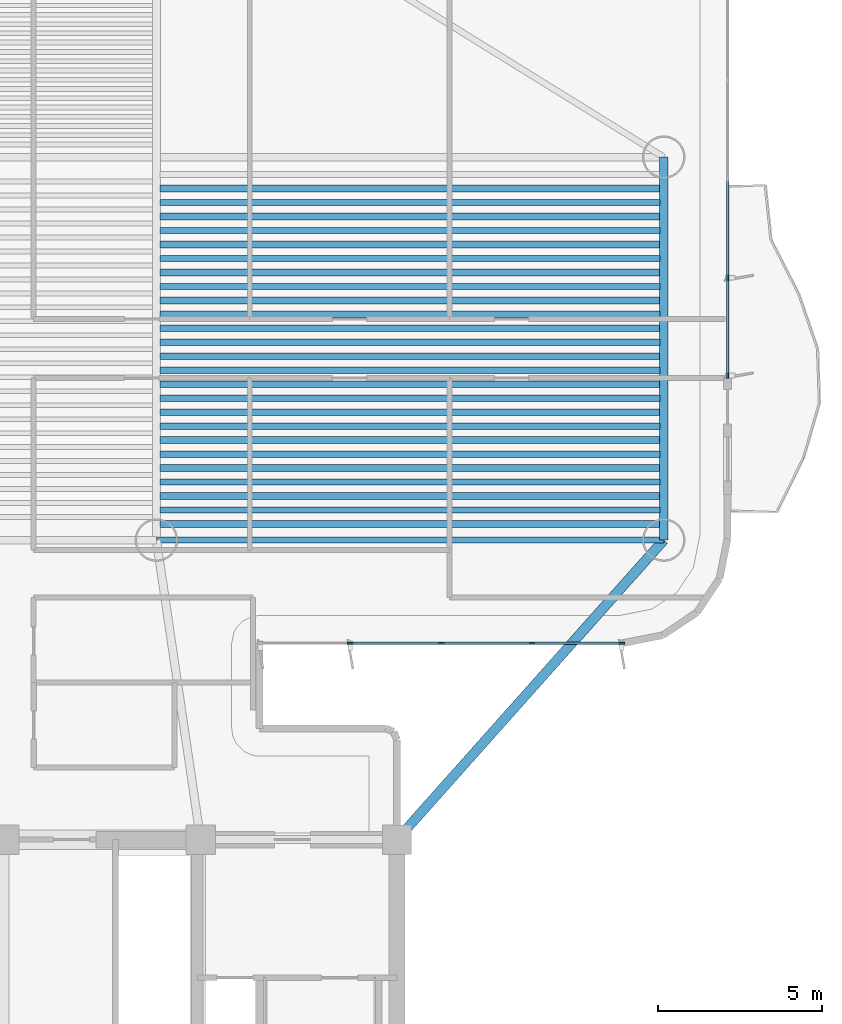
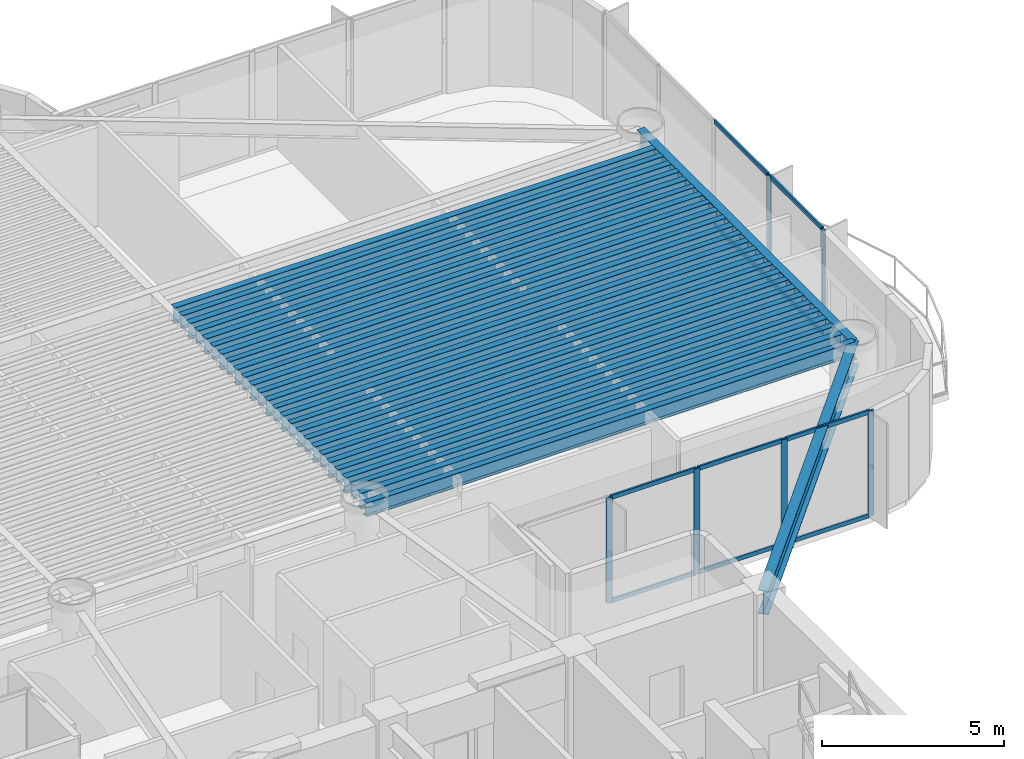
# One storey, part 4 of 16: 28 beams, 16 members, 2 elements without a shape of their own.
"""IFC4 building model written with IfcOpenShell, lengths in metres."""

import ifcopenshell
import ifcopenshell.guid

model = None  # the IFC model being written
_history = None  # IfcOwnerHistory: only IFC2X3 demands one
_inside = {}  # id of a spatial element -> (the spatial element, [elements in it])
_under = {}  # id of a project, library or spatial element -> (it, [spatial elements below it])
_declared = {}  # id of a project -> (the project, [libraries it declares])
_typed = {}  # id of a type object -> (the type object, [elements of that type])
_made_of = {}  # id of a material, layer set ... -> (it, [elements and type objects made of it])


def new_model(schema):
    """Start an empty IFC model of exactly this schema.

    Asked for "IFC4X3", IfcOpenShell would pick the latest addendum, in which some entities
    have other attributes; the version numbers below select the first issue.
    IFC2X3 requires an IfcOwnerHistory on every rooted entity: one is made here for all.
    """
    global model, _history
    if schema == "IFC4X3":
        model = ifcopenshell.file(schema_version=(4, 3, 0, 0))
    else:
        model = ifcopenshell.file(schema=schema)
    _inside.clear()
    _under.clear()
    _declared.clear()
    _typed.clear()
    _made_of.clear()
    _history = None
    if model.schema == "IFC2X3":
        org = make("IfcOrganization", Name="unknown")
        user = make(
            "IfcPersonAndOrganization",
            ThePerson=make("IfcPerson", FamilyName="unknown"),
            TheOrganization=org,
        )
        app = make(
            "IfcApplication",
            ApplicationDeveloper=org,
            Version="unknown",
            ApplicationFullName="unknown",
            ApplicationIdentifier="unknown",
        )
        _history = make(
            "IfcOwnerHistory",
            OwningUser=user,
            OwningApplication=app,
            ChangeAction="ADDED",
            CreationDate=0,
        )
    return model


def make(cls, **values):
    """One entity of the class cls with the attributes given. An attribute that is None is left unset."""
    return model.create_entity(
        cls, **{name: value for name, value in values.items() if value is not None}
    )


def rooted(cls, **values):
    """An entity with a GlobalId (a new one), such as an element, a storey or a relation."""
    return make(cls, GlobalId=ifcopenshell.guid.new(), OwnerHistory=_history, **values)


def si_unit(unit_type, name, prefix=None):
    """IfcSIUnit, for example si_unit("LENGTHUNIT", "METRE", prefix="MILLI")."""
    return make("IfcSIUnit", UnitType=unit_type, Prefix=prefix, Name=name)


def assignment(units):
    """IfcUnitAssignment: the units of a project."""
    return None if units is None else make("IfcUnitAssignment", Units=units)


def point(xyz):
    """IfcCartesianPoint."""
    return None if xyz is None else make("IfcCartesianPoint", Coordinates=xyz)


def direction(xyz):
    """IfcDirection."""
    return None if xyz is None else make("IfcDirection", DirectionRatios=xyz)


def frame(location, z_axis=None, x_axis=None):
    """IfcAxis2Placement3D, a coordinate frame: its origin and axes. An axis left out is left unset."""
    return make(
        "IfcAxis2Placement3D",
        Location=point(location),
        Axis=direction(z_axis),
        RefDirection=direction(x_axis),
    )


def frame_2d(location, x_axis=None):
    """IfcAxis2Placement2D, a coordinate frame in the plane: its origin and x axis."""
    return make(
        "IfcAxis2Placement2D", Location=point(location), RefDirection=direction(x_axis)
    )


def origin():
    """The frame at (0, 0, 0) with its axes left unset."""
    return frame((0.0, 0.0, 0.0))


def origin_2d():
    """The frame at (0, 0) in the plane with its x axis left unset."""
    return frame_2d((0.0, 0.0))


def place(relative_to, where):
    """IfcLocalPlacement: puts the frame where relative to a parent placement (None: the world)."""
    return make(
        "IfcLocalPlacement", PlacementRelTo=relative_to, RelativePlacement=where
    )


def context(
    kind, dimensions, precision=None, world=None, true_north=None, identifier=None
):
    """IfcGeometricRepresentationContext, for example the 3D "Model" context."""
    return make(
        "IfcGeometricRepresentationContext",
        ContextIdentifier=identifier,
        ContextType=kind,
        CoordinateSpaceDimension=dimensions,
        Precision=precision,
        WorldCoordinateSystem=world,
        TrueNorth=true_north,
    )


def subcontext(parent, identifier, kind, view, scale=None):
    """IfcGeometricRepresentationSubContext, for example "Body" below "Model"."""
    return make(
        "IfcGeometricRepresentationSubContext",
        ContextIdentifier=identifier,
        ContextType=kind,
        ParentContext=parent,
        TargetScale=scale,
        TargetView=view,
    )


def project(units=None, contexts=None):
    """IfcProject with its units and contexts."""
    return rooted(
        "IfcProject",
        Name="project",
        RepresentationContexts=contexts,
        UnitsInContext=assignment(units),
    )


def spatial(cls, under=None, at=None, **own):
    """A site, building, storey or space (cls), placed at a placement, below another one or the project."""
    s = rooted(cls, ObjectPlacement=at, **own)
    if under is not None:
        _under.setdefault(under.id(), (under, []))[1].append(s)
    return s


def profile(cls, at=None, kind="AREA", **sizes):
    """A parametric profile (cls). Its sizes go by their IFC names, for example OverallWidth=200.0."""
    return make(cls, ProfileType=kind, Position=at, **sizes)


def rectangle(**sizes):
    """IfcRectangleProfileDef."""
    return profile("IfcRectangleProfileDef", **sizes)


def i_section(**sizes):
    """IfcIShapeProfileDef."""
    return profile("IfcIShapeProfileDef", **sizes)


def extrude(swept, where, along, depth):
    """IfcExtrudedAreaSolid: the profile swept, set in the frame where, extruded along a direction by depth."""
    return make(
        "IfcExtrudedAreaSolid",
        SweptArea=swept,
        Position=where,
        ExtrudedDirection=direction(along),
        Depth=depth,
    )


def shape(context_of_items, identifier, shape_type, items):
    """IfcShapeRepresentation: the items that make up one representation, for example the "Body"."""
    return make(
        "IfcShapeRepresentation",
        ContextOfItems=context_of_items,
        RepresentationIdentifier=identifier,
        RepresentationType=shape_type,
        Items=items,
    )


def source(mapping_origin, context_of_items, identifier, shape_type, items):
    """IfcRepresentationMap: a shape defined once, which mapped items show again and again."""
    return make(
        "IfcRepresentationMap",
        MappingOrigin=mapping_origin,
        MappedRepresentation=shape(context_of_items, identifier, shape_type, items),
    )


def transform(
    local_origin,
    x_axis=None,
    y_axis=None,
    z_axis=None,
    scale=None,
    scale2=None,
    scale3=None,
    uniform=True,
):
    """IfcCartesianTransformationOperator3D, or its non-uniform kind. x_axis, y_axis, z_axis: its Axis1, 2, 3."""
    if uniform:
        return make(
            "IfcCartesianTransformationOperator3D",
            Axis1=direction(x_axis),
            Axis2=direction(y_axis),
            LocalOrigin=point(local_origin),
            Scale=scale,
            Axis3=direction(z_axis),
        )
    return make(
        "IfcCartesianTransformationOperator3DnonUniform",
        Axis1=direction(x_axis),
        Axis2=direction(y_axis),
        LocalOrigin=point(local_origin),
        Scale=scale,
        Axis3=direction(z_axis),
        Scale2=scale2,
        Scale3=scale3,
    )


def mapped(mapping_source, mapping_target):
    """IfcMappedItem: shows the shape of a source again, moved by a transform."""
    return make(
        "IfcMappedItem", MappingSource=mapping_source, MappingTarget=mapping_target
    )


def material(Name=None, Category=None):
    """IfcMaterial."""
    return make("IfcMaterial", Name=Name, Category=Category)


def layer(
    of_material, thickness, ventilated=None, Name=None, Category=None, Priority=None
):
    """IfcMaterialLayer: one layer of a wall or slab, of a material (None: an air gap)."""
    return make(
        "IfcMaterialLayer",
        Material=of_material,
        LayerThickness=thickness,
        IsVentilated=ventilated,
        Name=Name,
        Category=Category,
        Priority=Priority,
    )


def layer_set(layers, Name=None):
    """IfcMaterialLayerSet."""
    return make("IfcMaterialLayerSet", MaterialLayers=layers, LayerSetName=Name)


def material_profile(
    of_material, cross_section, Name=None, Category=None, Priority=None
):
    """IfcMaterialProfile: a cross section and its material."""
    return make(
        "IfcMaterialProfile",
        Name=Name,
        Material=of_material,
        Profile=cross_section,
        Priority=Priority,
        Category=Category,
    )


def profile_set(profiles, Name=None, composite=None):
    """IfcMaterialProfileSet."""
    return make(
        "IfcMaterialProfileSet",
        Name=Name,
        MaterialProfiles=profiles,
        CompositeProfile=composite,
    )


def made_of(thing, what):
    """Note that an element or type object is made of a material, layer set ...; save() writes the relation."""
    if what is not None:
        _made_of.setdefault(what.id(), (what, []))[1].append(thing)
    return thing


def type_object(cls, material=None, **own):
    """A type object (cls), such as IfcWallType, which elements share."""
    return made_of(rooted(cls, **own), material)


def element(
    cls,
    number,
    at=None,
    inside=None,
    cuts=None,
    type_object=None,
    material=None,
    context=None,
    identifier="Body",
    shape_type=None,
    held_by="IfcProductDefinitionShape",
    body=None,
    shapes=None,
    **own,
):
    """One element of the class cls, such as IfcWall. Its Tag is "e" and its number.

    at: its placement. inside: the storey or other place that contains it. cuts: it is an
    opening in that element (IfcRelVoidsElement). A single representation is given by context,
    identifier, shape_type and body (its items); several are given by shapes. held_by: the class
    of the entity that holds the representations. save() writes the other relations.
    """
    e = rooted(cls, Tag="e%d" % number, ObjectPlacement=at, **own)
    if body is not None:
        shapes = [shape(context, identifier, shape_type, body)]
    if shapes is not None:
        e.Representation = make(held_by, Representations=shapes)
    if inside is not None:
        _inside.setdefault(inside.id(), (inside, []))[1].append(e)
    if cuts is not None:
        rooted(
            "IfcRelVoidsElement", RelatingBuildingElement=cuts, RelatedOpeningElement=e
        )
    if type_object is not None:
        _typed.setdefault(type_object.id(), (type_object, []))[1].append(e)
    return made_of(e, material)


def aggregate(whole, parts):
    """IfcRelAggregates: a whole, such as a stair, and the parts it consists of."""
    return rooted("IfcRelAggregates", RelatingObject=whole, RelatedObjects=parts)


def save(model, path):
    """Write the relations noted so far, then the file.

    IfcRelAggregates (storeys below a building ...), IfcRelContainedInSpatialStructure (elements
    in a storey), IfcRelDefinesByType, IfcRelAssociatesMaterial and IfcRelDeclares: one each for
    every whole, place, type object, material and project.
    """
    for whole, parts in _under.values():
        aggregate(whole, parts)
    for where, things in _inside.values():
        rooted(
            "IfcRelContainedInSpatialStructure",
            RelatedElements=things,
            RelatingStructure=where,
        )
    for kind, things in _typed.values():
        rooted("IfcRelDefinesByType", RelatedObjects=things, RelatingType=kind)
    for what, things in _made_of.values():
        rooted("IfcRelAssociatesMaterial", RelatedObjects=things, RelatingMaterial=what)
    for by, libraries in _declared.values():
        rooted("IfcRelDeclares", RelatingContext=by, RelatedDefinitions=libraries)
    model.write(path)


model = new_model("IFC4")

# Units and contexts
model_context = context("Model", 3, precision=1e-05, world=origin(), true_north=direction((0.0, 1.0)))
body_context = subcontext(model_context, "Body", "Model", "MODEL_VIEW")
ifc_project = project(units=[si_unit("LENGTHUNIT", "METRE"), si_unit("AREAUNIT", "SQUARE_METRE"), si_unit("VOLUMEUNIT", "CUBIC_METRE"), si_unit("PLANEANGLEUNIT", "RADIAN"), si_unit("MASSUNIT", "GRAM", prefix="KILO")], contexts=[model_context])

# Site, building, storey
site_placement = place(None, origin())
site = spatial("IfcSite", under=ifc_project, at=site_placement, CompositionType="ELEMENT")
building_placement = place(site_placement, origin())
building = spatial("IfcBuilding", under=site, at=building_placement, Name="Brelvock Crest Care Tower", CompositionType="ELEMENT")
storey_placement = place(building_placement, frame((0.0, 0.0, 112.5)))
storey = spatial("IfcBuildingStorey", under=building, at=storey_placement, Name="L28", CompositionType="ELEMENT", Elevation=112.5)

# Beams
ifc_material_1 = material(Name="Steel Grade 350", Category="steel")
ifc_material_profile_1 = material_profile(ifc_material_1, i_section(OverallWidth=0.208984375, OverallDepth=0.532958984375, WebThickness=0.01025390625, FlangeThickness=0.015625, FilletRadius=0.013916015625, at=origin_2d()), Name="530UB92.4")
ifc_profile_set_1 = profile_set([ifc_material_profile_1], Name="Steel Grade 350")
beam_type_1 = type_object("IfcBeamType", Name="BM-G2", PredefinedType="BEAM", material=ifc_profile_set_1)
shared_shape_1 = source(origin(), body_context, "Body", "SweptSolid", [
    extrude(i_section(OverallWidth=0.208984375, OverallDepth=0.532958984375, WebThickness=0.01025390625, FlangeThickness=0.015625, FilletRadius=0.013916015625, at=origin_2d()), origin(), (0.0, 0.0, 1.0), 15.27001953125),
])
for number, where, z_axis, x_axis, name in (
    (1, (40.764892578125, 27.641357421875, 3.263427734375), (1.0, 0.0, 0.0), (0.0, 1.0, 0.0), "BM-JE-L28-1"),
    (2, (40.764892578125, 28.49560546875, 3.263427734375), (1.0, 0.0, 0.0), (0.0, 1.0, 0.0), "BM-JE-L28-3"),
    (3, (40.764892578125, 29.349609375, 3.263427734375), (1.0, 0.0, 0.0), (0.0, 1.0, 0.0), "BM-JE-L28-5"),
    (4, (40.764892578125, 30.20361328125, 3.263427734375), (1.0, 0.0, 0.0), (0.0, 1.0, 0.0), "BM-JE-L28-7"),
    (5, (40.764892578125, 31.057861328125, 3.263427734375), (1.0, 0.0, 0.0), (0.0, 1.0, 0.0), "BM-JE-L28-9"),
    (6, (40.764892578125, 31.911865234375, 3.263427734375), (1.0, 0.0, 0.0), (0.0, 1.0, 0.0), "BM-JE-L28-11"),
    (7, (40.764892578125, 32.76611328125, 3.263427734375), (1.0, 0.0, 0.0), (0.0, 1.0, 0.0), "BM-JE-L28-13"),
    (8, (40.764892578125, 33.6201171875, 3.263427734375), (1.0, 0.0, 0.0), (0.0, 1.0, 0.0), "BM-JE-L28-15"),
    (9, (40.764892578125, 34.47412109375, 3.263427734375), (1.0, 0.0, 0.0), (0.0, 1.0, 0.0), "BM-JE-L28-17"),
    (10, (40.764892578125, 35.328369140625, 3.263427734375), (1.0, 0.0, 0.0), (0.0, 1.0, 0.0), "BM-JE-L28-19"),
    (11, (40.764892578125, 36.182373046875, 3.263427734375), (1.0, 0.0, 0.0), (0.0, 1.0, 0.0), "BM-JE-L28-21"),
    (12, (40.764892578125, 37.03662109375, 3.263427734375), (1.0, 0.0, 0.0), (0.0, 1.0, 0.0), "BM-JE-L28-23"),
    (13, (40.764892578125, 37.890625, 3.263427734375), (1.0, 0.0, 0.0), (0.0, 1.0, 0.0), "BM-JE-L28-25"),
):
    element("IfcBeam", number, at=place(storey_placement, frame(where, z_axis=z_axis, x_axis=x_axis)), inside=storey, type_object=beam_type_1, Name=name, PredefinedType="BEAM", context=body_context, shape_type="MappedRepresentation", body=[
        mapped(shared_shape_1, transform((0.0, 0.0, 0.0), x_axis=(1.0, 0.0, 0.0), y_axis=(0.0, 1.0, 0.0), z_axis=(0.0, 0.0, 1.0), scale=1.0)),
    ])
ifc_material_profile_2 = material_profile(ifc_material_1, i_section(OverallWidth=0.19091796875, OverallDepth=0.4599609375, WebThickness=0.010009765625, FlangeThickness=0.01611328125, FilletRadius=0.011474609375, at=origin_2d()), Name="460UB82.1")
ifc_profile_set_2 = profile_set([ifc_material_profile_2], Name="Steel Grade 350")
beam_type_2 = type_object("IfcBeamType", Name="BM-G3", PredefinedType="BEAM", material=ifc_profile_set_2)
shared_shape_2 = source(origin(), body_context, "Body", "SweptSolid", [
    extrude(i_section(OverallWidth=0.19091796875, OverallDepth=0.4599609375, WebThickness=0.010009765625, FlangeThickness=0.01611328125, FilletRadius=0.011474609375, at=origin_2d()), origin(), (0.0, 0.0, 1.0), 15.27001953125),
])
for number, where, z_axis, x_axis, name in (
    (14, (40.764892578125, 28.068359375, 3.300048828125), (1.0, 0.0, 0.0), (0.0, 1.0, 0.0), "BM-JE-L28-2"),
    (15, (40.764892578125, 28.922607421875, 3.300048828125), (1.0, 0.0, 0.0), (0.0, 1.0, 0.0), "BM-JE-L28-4"),
    (16, (40.764892578125, 29.776611328125, 3.300048828125), (1.0, 0.0, 0.0), (0.0, 1.0, 0.0), "BM-JE-L28-6"),
    (17, (40.764892578125, 30.630615234375, 3.300048828125), (1.0, 0.0, 0.0), (0.0, 1.0, 0.0), "BM-JE-L28-8"),
    (18, (40.764892578125, 31.48486328125, 3.300048828125), (1.0, 0.0, 0.0), (0.0, 1.0, 0.0), "BM-JE-L28-10"),
    (19, (40.764892578125, 32.3388671875, 3.300048828125), (1.0, 0.0, 0.0), (0.0, 1.0, 0.0), "BM-JE-L28-12"),
    (20, (40.764892578125, 33.193115234375, 3.300048828125), (1.0, 0.0, 0.0), (0.0, 1.0, 0.0), "BM-JE-L28-14"),
    (21, (40.764892578125, 34.047119140625, 3.300048828125), (1.0, 0.0, 0.0), (0.0, 1.0, 0.0), "BM-JE-L28-16"),
    (22, (40.764892578125, 34.901123046875, 3.300048828125), (1.0, 0.0, 0.0), (0.0, 1.0, 0.0), "BM-JE-L28-18"),
    (23, (40.764892578125, 35.75537109375, 3.300048828125), (1.0, 0.0, 0.0), (0.0, 1.0, 0.0), "BM-JE-L28-20"),
    (24, (40.764892578125, 36.609619140625, 3.300048828125), (1.0, 0.0, 0.0), (0.0, 1.0, 0.0), "BM-JE-L28-22"),
    (25, (40.764892578125, 37.46337890625, 3.300048828125), (1.0, 0.0, 0.0), (0.0, 1.0, 0.0), "BM-JE-L28-24"),
):
    element("IfcBeam", number, at=place(storey_placement, frame(where, z_axis=z_axis, x_axis=x_axis)), inside=storey, type_object=beam_type_2, Name=name, PredefinedType="BEAM", context=body_context, shape_type="MappedRepresentation", body=[
        mapped(shared_shape_2, transform((0.0, 0.0, 0.0), x_axis=(1.0, 0.0, 0.0), y_axis=(0.0, 1.0, 0.0), z_axis=(0.0, 0.0, 1.0), scale=1.0)),
    ])
ifc_material_profile_3 = material_profile(ifc_material_1, i_section(OverallWidth=0.25, OverallDepth=0.699951171875, WebThickness=0.011962890625, FlangeThickness=0.02001953125, at=origin_2d()), Name="700WB150")
ifc_profile_set_3 = profile_set([ifc_material_profile_3], Name="Steel Grade 350")
beam_type_3 = type_object("IfcBeamType", Name="BM-G4", PredefinedType="BEAM", material=ifc_profile_set_3)
shared_shape_3 = source(origin(), body_context, "Body", "SweptSolid", [
    extrude(i_section(OverallWidth=0.25, OverallDepth=0.699951171875, WebThickness=0.011962890625, FlangeThickness=0.02001953125, at=origin_2d()), origin(), (0.0, 0.0, 1.0), 11.7001953125),
])
beam_1_placement = place(storey_placement, frame((56.14990234375, 27.14990234375, 3.179931640625), z_axis=(0.0, 1.0, 0.0), x_axis=(-1.0, 0.0, 0.0)))
element("IfcBeam", 26, at=beam_1_placement, inside=storey, type_object=beam_type_3, Name="BM-TWR-L28-02", PredefinedType="BEAM", context=body_context, shape_type="MappedRepresentation", body=[
    mapped(shared_shape_3, transform((0.0, 0.0, 0.0), x_axis=(1.0, 0.0, 0.0), y_axis=(0.0, 1.0, 0.0), z_axis=(0.0, 0.0, 1.0), scale=1.0)),
])
ifc_material_profile_4 = material_profile(ifc_material_1, i_section(OverallWidth=0.19091796875, OverallDepth=0.4599609375, WebThickness=0.010009765625, FlangeThickness=0.01611328125, FilletRadius=0.011474609375, at=origin_2d()), Name="460UB82.1")
ifc_profile_set_4 = profile_set([ifc_material_profile_4], Name="Steel Grade 350")
beam_type_4 = type_object("IfcBeamType", Name="BM-SP2", PredefinedType="SPANDREL", material=ifc_profile_set_4)
shared_shape_4 = source(origin(), body_context, "Body", "SweptSolid", [
    extrude(i_section(OverallWidth=0.19091796875, OverallDepth=0.4599609375, WebThickness=0.010009765625, FlangeThickness=0.01611328125, FilletRadius=0.011474609375, at=origin_2d()), origin(), (0.0, 0.0, 1.0), 15.5),
])
beam_2_placement = place(storey_placement, frame((40.64990234375, 27.14990234375, 3.300048828125), z_axis=(1.0, 0.0, 0.0), x_axis=(0.0, 1.0, 0.0)))
element("IfcBeam", 27, at=beam_2_placement, inside=storey, type_object=beam_type_4, Name="BM-TWR-L28-04", PredefinedType="SPANDREL", context=body_context, shape_type="MappedRepresentation", body=[
    mapped(shared_shape_4, transform((0.0, 0.0, 0.0), x_axis=(1.0, 0.0, 0.0), y_axis=(0.0, 1.0, 0.0), z_axis=(0.0, 0.0, 1.0), scale=1.0)),
])
ifc_material_profile_5 = material_profile(ifc_material_1, i_section(OverallWidth=0.300048828125, OverallDepth=0.800048828125, WebThickness=0.013916015625, FlangeThickness=0.02197265625, at=origin_2d()), Name="800WB192")
ifc_profile_set_5 = profile_set([ifc_material_profile_5], Name="Steel Grade 350")
beam_type_5 = type_object("IfcBeamType", Name="BM-G5", PredefinedType="BEAM", material=ifc_profile_set_5)
shared_shape_5 = source(origin(), body_context, "Body", "SweptSolid", [
    extrude(i_section(OverallWidth=0.300048828125, OverallDepth=0.800048828125, WebThickness=0.013916015625, FlangeThickness=0.02197265625, at=origin_2d()), origin(), (0.0, 0.0, 1.0), 12.253173828125),
])
beam_3_placement = place(storey_placement, frame((48.0, 18.0, 3.1298828125), z_axis=(0.665122829149, 0.746733970129, 0.0), x_axis=(-0.746733970129, 0.665122829149, 0.0)))
element("IfcBeam", 28, at=beam_3_placement, inside=storey, type_object=beam_type_5, Name="BM-THRO-E-L28", PredefinedType="BEAM", context=body_context, shape_type="MappedRepresentation", body=[
    mapped(shared_shape_5, transform((0.0, 0.0, 0.0), x_axis=(1.0, 0.0, 0.0), y_axis=(0.0, 1.0, 0.0), z_axis=(0.0, 0.0, 1.0), scale=1.0)),
])

# Curtain wall, members
ifc_material_2 = material(Name="Dark Glass Double Glazed Low-E", Category="glass")
ifc_layer = layer(ifc_material_2, 0.2099609375, Name="CWS-3")
ifc_layer_set = layer_set([ifc_layer], Name="Dark Glass Double Glazed Low-E")
curtain_wall_type = type_object("IfcCurtainWallType", Name="CWS-3", PredefinedType="NOTDEFINED", material=ifc_layer_set)
curtain_wall_1_placement = place(storey_placement, origin())
curtain_wall_1 = element("IfcCurtainWall", 29, at=curtain_wall_1_placement, inside=storey, type_object=curtain_wall_type, Name="L28 Curtain Wall E39A", PredefinedType="NOTDEFINED")
ifc_material_3 = material(Name="Aluminium 6063-T6", Category="aluminium")
ifc_material_profile_6 = material_profile(ifc_material_3, rectangle(XDim=0.06005859375, YDim=0.179931640625, at=origin_2d()), Name="ALU60x180")
ifc_profile_set_6 = profile_set([ifc_material_profile_6], Name="Aluminium 6063-T6")
member_type_1 = type_object("IfcMemberType", Name="CWM-2", PredefinedType="MULLION", material=ifc_profile_set_6)
shared_shape_6 = source(origin(), body_context, "Body", "SweptSolid", [
    extrude(rectangle(XDim=0.06005859375, YDim=0.179931640625, at=origin_2d()), origin(), (0.0, 0.0, 1.0), 3.530029296875),
])
member_1_placement = place(storey_placement, frame((58.10009765625, 35.16259765625, 0.0), z_axis=(0.0, 0.0, 1.0), x_axis=(1.0, 0.0, 0.0)))
member_1 = element("IfcMember", 30, at=member_1_placement, type_object=member_type_1, Name="CW-3 mullion 4", PredefinedType="MULLION", context=body_context, shape_type="MappedRepresentation", body=[
    mapped(shared_shape_6, transform((0.0, 0.0, 0.0), x_axis=(1.0, 0.0, 0.0), y_axis=(0.0, 1.0, 0.0), z_axis=(0.0, 0.0, 1.0), scale=1.0)),
])
member_2_placement = place(storey_placement, frame((58.10009765625, 32.179931640625, 0.0), z_axis=(0.0, 0.0, 1.0), x_axis=(1.0, 0.0, 0.0)))
member_2 = element("IfcMember", 31, at=member_2_placement, type_object=member_type_1, Name="CW-3 mullion 5", PredefinedType="MULLION", context=body_context, shape_type="MappedRepresentation", body=[
    mapped(shared_shape_6, transform((0.0, 0.0, 0.0), x_axis=(1.0, 0.0, 0.0), y_axis=(0.0, 1.0, 0.0), z_axis=(0.0, 0.0, 1.0), scale=1.0)),
])

curtain_wall_2_placement = place(storey_placement, origin())
curtain_wall_2 = element("IfcCurtainWall", 32, at=curtain_wall_2_placement, inside=storey, type_object=curtain_wall_type, Name="L28 Curtain Wall E44", PredefinedType="NOTDEFINED")
member_3_placement = place(storey_placement, frame((54.8701171875, 24.0, 0.0), z_axis=(0.0, 0.0, 1.0), x_axis=(0.0, -1.0, 0.0)))
member_3 = element("IfcMember", 33, at=member_3_placement, type_object=member_type_1, Name="CW-3 mullion 1", PredefinedType="MULLION", context=body_context, shape_type="MappedRepresentation", body=[
    mapped(shared_shape_6, transform((0.0, 0.0, 0.0), x_axis=(1.0, 0.0, 0.0), y_axis=(0.0, 1.0, 0.0), z_axis=(0.0, 0.0, 1.0), scale=1.0)),
])
member_4_placement = place(storey_placement, frame((52.125, 24.0, 0.0), z_axis=(0.0, 0.0, 1.0), x_axis=(0.0, -1.0, 0.0)))
member_4 = element("IfcMember", 34, at=member_4_placement, type_object=member_type_1, Name="CW-3 mullion 2", PredefinedType="MULLION", context=body_context, shape_type="MappedRepresentation", body=[
    mapped(shared_shape_6, transform((0.0, 0.0, 0.0), x_axis=(1.0, 0.0, 0.0), y_axis=(0.0, 1.0, 0.0), z_axis=(0.0, 0.0, 1.0), scale=1.0)),
])
member_5_placement = place(storey_placement, frame((49.35009765625, 24.0, 0.0), z_axis=(0.0, 0.0, 1.0), x_axis=(0.0, -1.0, 0.0)))
member_5 = element("IfcMember", 35, at=member_5_placement, type_object=member_type_1, Name="CW-3 mullion 3", PredefinedType="MULLION", context=body_context, shape_type="MappedRepresentation", body=[
    mapped(shared_shape_6, transform((0.0, 0.0, 0.0), x_axis=(1.0, 0.0, 0.0), y_axis=(0.0, 1.0, 0.0), z_axis=(0.0, 0.0, 1.0), scale=1.0)),
])
member_6_placement = place(storey_placement, frame((46.574951171875, 24.0, 0.0), z_axis=(0.0, 0.0, 1.0), x_axis=(0.0, -1.0, 0.0)))
member_6 = element("IfcMember", 36, at=member_6_placement, type_object=member_type_1, Name="CW-3 mullion 4", PredefinedType="MULLION", context=body_context, shape_type="MappedRepresentation", body=[
    mapped(shared_shape_6, transform((0.0, 0.0, 0.0), x_axis=(1.0, 0.0, 0.0), y_axis=(0.0, 1.0, 0.0), z_axis=(0.0, 0.0, 1.0), scale=1.0)),
])
ifc_material_profile_7 = material_profile(ifc_material_3, rectangle(XDim=0.06005859375, YDim=0.139892578125, at=origin_2d()), Name="ALU60x140")
ifc_profile_set_7 = profile_set([ifc_material_profile_7], Name="Aluminium 6063-T6")
member_type_2 = type_object("IfcMemberType", Name="CWT-2", PredefinedType="USERDEFINED", material=ifc_profile_set_7)
shared_shape_7 = source(origin(), body_context, "Body", "SweptSolid", [
    extrude(rectangle(XDim=0.06005859375, YDim=0.139892578125, at=origin_2d()), origin(), (0.0, 0.0, 1.0), 2.715087890625),
])
member_7_placement = place(storey_placement, frame((52.094970703125, 24.0, 0.030029296875), z_axis=(-1.0, 0.0, 0.0), x_axis=(0.0, -1.0, 0.0)))
member_7 = element("IfcMember", 37, at=member_7_placement, type_object=member_type_2, Name="CW-3 transom 2.1", ObjectType="TRANSOM", PredefinedType="USERDEFINED", context=body_context, shape_type="MappedRepresentation", body=[
    mapped(shared_shape_7, transform((0.0, 0.0, 0.0), x_axis=(1.0, 0.0, 0.0), y_axis=(0.0, 1.0, 0.0), z_axis=(0.0, 0.0, 1.0), scale=1.0)),
])
member_8_placement = place(storey_placement, frame((52.094970703125, 24.0, 3.5), z_axis=(-1.0, 0.0, 0.0), x_axis=(0.0, -1.0, 0.0)))
member_8 = element("IfcMember", 38, at=member_8_placement, type_object=member_type_2, Name="CW-3 transom 2.2", ObjectType="TRANSOM", PredefinedType="USERDEFINED", context=body_context, shape_type="MappedRepresentation", body=[
    mapped(shared_shape_7, transform((0.0, 0.0, 0.0), x_axis=(1.0, 0.0, 0.0), y_axis=(0.0, 1.0, 0.0), z_axis=(0.0, 0.0, 1.0), scale=1.0)),
])
member_9_placement = place(storey_placement, frame((49.320068359375, 24.0, 0.030029296875), z_axis=(-1.0, 0.0, 0.0), x_axis=(0.0, -1.0, 0.0)))
member_9 = element("IfcMember", 39, at=member_9_placement, type_object=member_type_2, Name="CW-3 transom 3.1", ObjectType="TRANSOM", PredefinedType="USERDEFINED", context=body_context, shape_type="MappedRepresentation", body=[
    mapped(shared_shape_7, transform((0.0, 0.0, 0.0), x_axis=(1.0, 0.0, 0.0), y_axis=(0.0, 1.0, 0.0), z_axis=(0.0, 0.0, 1.0), scale=1.0)),
])
member_10_placement = place(storey_placement, frame((49.320068359375, 24.0, 3.5), z_axis=(-1.0, 0.0, 0.0), x_axis=(0.0, -1.0, 0.0)))
member_10 = element("IfcMember", 40, at=member_10_placement, type_object=member_type_2, Name="CW-3 transom 3.2", ObjectType="TRANSOM", PredefinedType="USERDEFINED", context=body_context, shape_type="MappedRepresentation", body=[
    mapped(shared_shape_7, transform((0.0, 0.0, 0.0), x_axis=(1.0, 0.0, 0.0), y_axis=(0.0, 1.0, 0.0), z_axis=(0.0, 0.0, 1.0), scale=1.0)),
])
shared_shape_8 = source(origin(), body_context, "Body", "SweptSolid", [
    extrude(rectangle(XDim=0.06005859375, YDim=0.139892578125, at=origin_2d()), origin(), (0.0, 0.0, 1.0), 2.68505859375),
])
member_11_placement = place(storey_placement, frame((54.840087890625, 24.0, 0.030029296875), z_axis=(-1.0, 0.0, 0.0), x_axis=(0.0, -1.0, 0.0)))
member_11 = element("IfcMember", 41, at=member_11_placement, type_object=member_type_2, Name="CW-3 transom 1.1", ObjectType="TRANSOM", PredefinedType="USERDEFINED", context=body_context, shape_type="MappedRepresentation", body=[
    mapped(shared_shape_8, transform((0.0, 0.0, 0.0), x_axis=(1.0, 0.0, 0.0), y_axis=(0.0, 1.0, 0.0), z_axis=(0.0, 0.0, 1.0), scale=1.0)),
])
member_12_placement = place(storey_placement, frame((54.840087890625, 24.0, 3.5), z_axis=(-1.0, 0.0, 0.0), x_axis=(0.0, -1.0, 0.0)))
member_12 = element("IfcMember", 42, at=member_12_placement, type_object=member_type_2, Name="CW-3 transom 1.2", ObjectType="TRANSOM", PredefinedType="USERDEFINED", context=body_context, shape_type="MappedRepresentation", body=[
    mapped(shared_shape_8, transform((0.0, 0.0, 0.0), x_axis=(1.0, 0.0, 0.0), y_axis=(0.0, 1.0, 0.0), z_axis=(0.0, 0.0, 1.0), scale=1.0)),
])
aggregate(curtain_wall_2, [member_3, member_4, member_5, member_6, member_11, member_12, member_7, member_8, member_9, member_10])

# Member
shared_shape_9 = source(origin(), body_context, "Body", "SweptSolid", [
    extrude(rectangle(XDim=0.06005859375, YDim=0.139892578125, at=origin_2d()), origin(), (0.0, 0.0, 1.0), 2.922607421875),
])
member_13_placement = place(storey_placement, frame((58.10009765625, 35.132568359375, 0.030029296875), z_axis=(0.0, -1.0, 0.0), x_axis=(1.0, 0.0, 0.0)))
member_13 = element("IfcMember", 43, at=member_13_placement, type_object=member_type_2, Name="CW-3 transom 4.1", ObjectType="TRANSOM", PredefinedType="USERDEFINED", context=body_context, shape_type="MappedRepresentation", body=[
    mapped(shared_shape_9, transform((0.0, 0.0, 0.0), x_axis=(1.0, 0.0, 0.0), y_axis=(0.0, 1.0, 0.0), z_axis=(0.0, 0.0, 1.0), scale=1.0)),
])

member_14_placement = place(storey_placement, frame((58.10009765625, 35.132568359375, 3.5), z_axis=(0.0, -1.0, 0.0), x_axis=(1.0, 0.0, 0.0)))
member_14 = element("IfcMember", 44, at=member_14_placement, type_object=member_type_2, Name="CW-3 transom 4.2", ObjectType="TRANSOM", PredefinedType="USERDEFINED", context=body_context, shape_type="MappedRepresentation", body=[
    mapped(shared_shape_9, transform((0.0, 0.0, 0.0), x_axis=(1.0, 0.0, 0.0), y_axis=(0.0, 1.0, 0.0), z_axis=(0.0, 0.0, 1.0), scale=1.0)),
])

shared_shape_10 = source(origin(), body_context, "Body", "SweptSolid", [
    extrude(rectangle(XDim=0.06005859375, YDim=0.139892578125, at=origin_2d()), origin(), (0.0, 0.0, 1.0), 2.95263671875),
])
member_15_placement = place(storey_placement, frame((58.10009765625, 38.14501953125, 0.030029296875), z_axis=(0.0, -1.0, 0.0), x_axis=(1.0, 0.0, 0.0)))
member_15 = element("IfcMember", 45, at=member_15_placement, type_object=member_type_2, Name="CW-3 transom 3.1", ObjectType="TRANSOM", PredefinedType="USERDEFINED", context=body_context, shape_type="MappedRepresentation", body=[
    mapped(shared_shape_10, transform((0.0, 0.0, 0.0), x_axis=(1.0, 0.0, 0.0), y_axis=(0.0, 1.0, 0.0), z_axis=(0.0, 0.0, 1.0), scale=1.0)),
])

member_16_placement = place(storey_placement, frame((58.10009765625, 38.14501953125, 3.5), z_axis=(0.0, -1.0, 0.0), x_axis=(1.0, 0.0, 0.0)))
member_16 = element("IfcMember", 46, at=member_16_placement, type_object=member_type_2, Name="CW-3 transom 3.2", ObjectType="TRANSOM", PredefinedType="USERDEFINED", context=body_context, shape_type="MappedRepresentation", body=[
    mapped(shared_shape_10, transform((0.0, 0.0, 0.0), x_axis=(1.0, 0.0, 0.0), y_axis=(0.0, 1.0, 0.0), z_axis=(0.0, 0.0, 1.0), scale=1.0)),
])

aggregate(curtain_wall_1, [member_1, member_2, member_15, member_16, member_13, member_14])

save(model, "model.ifc")
